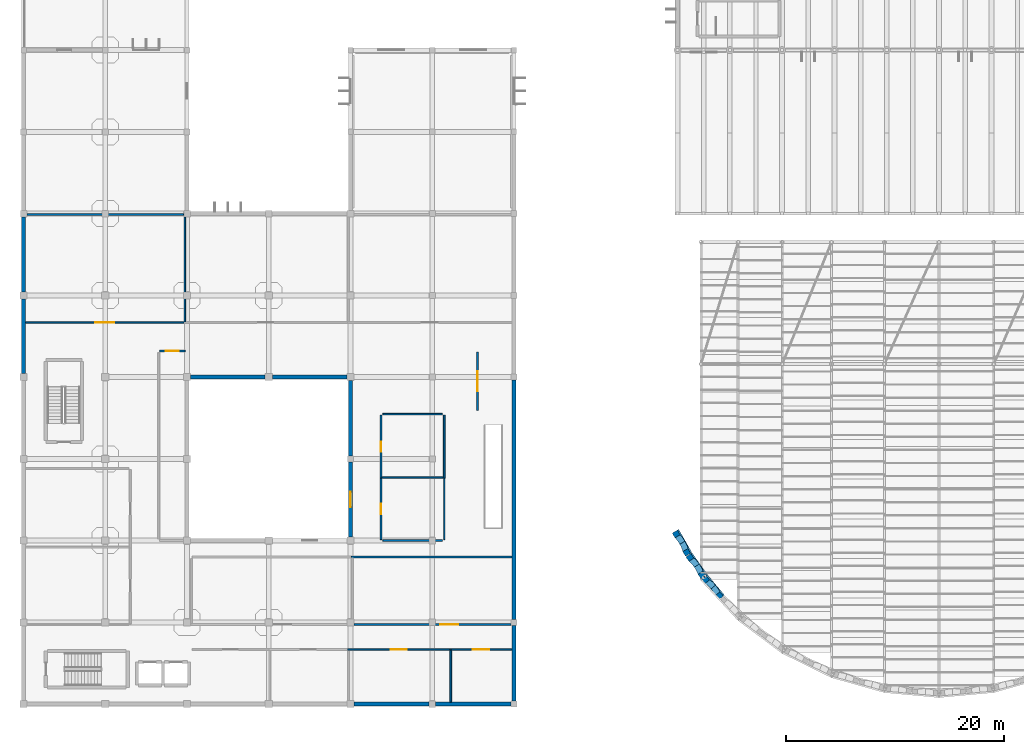
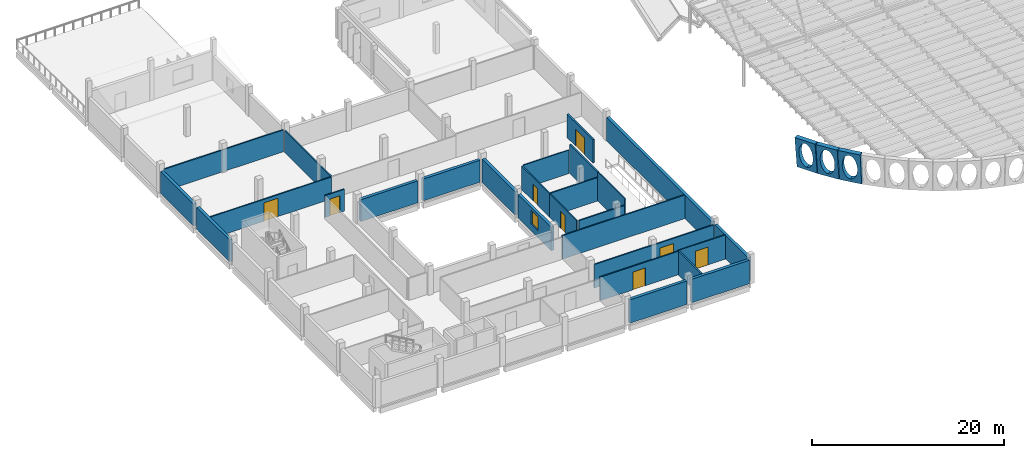
# One storey, part 25 of 47: 30 walls, 8 doors, 1 window, 12 openings.
"""IFC4 building model written with IfcOpenShell, lengths in metres."""

from ifc_helpers import new_model, si_unit, direction, frame, frame_2d, origin, place, context, subcontext, project, spatial, polyline, rectangle, outline, extrude, material, layer, layer_set, type_object, element, fill, save


model = new_model("IFC4")

# Units and contexts
model_context = context("Model", 3, precision=1e-05, world=origin(), true_north=direction((0.0, 1.0)))
body_context = subcontext(model_context, "Body", "Model", "MODEL_VIEW")
ifc_project = project(units=[si_unit("LENGTHUNIT", "METRE"), si_unit("AREAUNIT", "SQUARE_METRE"), si_unit("VOLUMEUNIT", "CUBIC_METRE"), si_unit("PLANEANGLEUNIT", "RADIAN"), si_unit("MASSUNIT", "GRAM", prefix="KILO")], contexts=[model_context])

# Site, building, storey
site_placement = place(None, origin())
site = spatial("IfcSite", under=ifc_project, at=site_placement, CompositionType="ELEMENT")
building_placement = place(site_placement, origin())
building = spatial("IfcBuilding", under=site, at=building_placement, Name="Mawjan Specialist Oncology Clinic", CompositionType="ELEMENT")
storey_placement = place(building_placement, frame((0.0, 0.0, 9.5)))
storey = spatial("IfcBuildingStorey", under=building, at=storey_placement, Name="L02", CompositionType="ELEMENT", Elevation=9.5)

# Walls
ifc_material_1 = material(Name="Precast concrete C40/50", Category="concrete")
ifc_layer_1 = layer(ifc_material_1, 0.35009765625, Name="Precast concrete C40/50", Category="concrete")
ifc_layer_set_1 = layer_set([ifc_layer_1], Name="Precast concrete C40/50")
wall_type_1 = type_object("IfcWallType", Name="EW-350", PredefinedType="SOLIDWALL", material=ifc_layer_set_1)
wall_1_placement = place(storey_placement, frame((45.0, 30.52490234375, 0.0), z_axis=(0.0, 0.0, 1.0), x_axis=(0.0, -1.0, 0.0)))
element("IfcWall", 1, at=wall_1_placement, inside=storey, type_object=wall_type_1, Name="L02 Coral-Limestone Exterior Wall EW-L02-178", PredefinedType="SOLIDWALL", context=body_context, shape_type="SweptSolid", body=[
    extrude(rectangle(XDim=21.949951171875, YDim=0.35009765625, at=frame_2d((10.97509765625, 0.0))), origin(), (0.0, 0.0, 1.0), 2.985107421875),
])
wall_2_placement = place(storey_placement, frame((45.0, 8.02490234375, 0.0), z_axis=(0.0, 0.0, 1.0), x_axis=(0.0, -1.0, 0.0)))
element("IfcWall", 2, at=wall_2_placement, inside=storey, type_object=wall_type_1, Name="L02 Coral-Limestone Exterior Wall EW-L02-179", PredefinedType="SOLIDWALL", context=body_context, shape_type="SweptSolid", body=[
    extrude(rectangle(XDim=6.949951171875, YDim=0.35009765625, at=frame_2d((3.47509765625, 0.0))), origin(), (0.0, 0.0, 1.0), 2.985107421875),
])
wall_3_placement = place(storey_placement, frame((44.72509765625, 0.800048828125, 0.0), z_axis=(0.0, 0.0, 1.0), x_axis=(-1.0, 0.0, 0.0)))
element("IfcWall", 3, at=wall_3_placement, inside=storey, type_object=wall_type_1, Name="L02 Coral-Limestone Exterior Wall EW-L02-180", PredefinedType="SOLIDWALL", context=body_context, shape_type="SweptSolid", body=[
    extrude(rectangle(XDim=6.925048828125, YDim=0.35009765625, at=frame_2d((3.46240234375, 0.0))), origin(), (0.0, 0.0, 1.0), 2.985107421875),
])
wall_4_placement = place(storey_placement, frame((37.199951171875, 0.800048828125, 0.0), z_axis=(0.0, 0.0, 1.0), x_axis=(-1.0, 0.0, 0.0)))
element("IfcWall", 4, at=wall_4_placement, inside=storey, type_object=wall_type_1, Name="L02 Coral-Limestone Exterior Wall EW-L02-181", PredefinedType="SOLIDWALL", context=body_context, shape_type="SweptSolid", body=[
    extrude(rectangle(XDim=6.875, YDim=0.35009765625, at=frame_2d((3.4375, 0.0))), origin(), (0.0, 0.0, 1.0), 2.985107421875),
])
wall_5_placement = place(storey_placement, frame((0.0, 31.125, 0.0), z_axis=(0.0, 0.0, 1.0), x_axis=(0.0, 1.0, 0.0)))
element("IfcWall", 5, at=wall_5_placement, inside=storey, type_object=wall_type_1, Name="L02 Coral-Limestone Exterior Wall EW-L02-190", PredefinedType="SOLIDWALL", context=body_context, shape_type="SweptSolid", body=[
    extrude(rectangle(XDim=6.85009765625, YDim=0.35009765625, at=frame_2d((3.425048828125, 0.0))), origin(), (0.0, 0.0, 1.0), 2.784912109375),
])
wall_6_placement = place(storey_placement, frame((0.0, 38.625, 0.0), z_axis=(0.0, 0.0, 1.0), x_axis=(0.0, 1.0, 0.0)))
element("IfcWall", 6, at=wall_6_placement, inside=storey, type_object=wall_type_1, Name="L02 Coral-Limestone Exterior Wall EW-L02-191", PredefinedType="SOLIDWALL", context=body_context, shape_type="SweptSolid", body=[
    extrude(rectangle(XDim=6.875, YDim=0.35009765625, at=frame_2d((3.4375, 0.0))), origin(), (0.0, 0.0, 1.0), 2.784912109375),
])

# Wall, opening, window
wall_7_placement = place(storey_placement, frame((30.0, 16.125, 0.0), z_axis=(0.0, 0.0, 1.0), x_axis=(0.0, 1.0, 0.0)))
wall_7 = element("IfcWall", 7, at=wall_7_placement, inside=storey, type_object=wall_type_1, Name="L02 Coral-Limestone Exterior Wall EW-L02-200", PredefinedType="SOLIDWALL", context=body_context, shape_type="SweptSolid", body=[
    extrude(rectangle(XDim=6.89990234375, YDim=0.35009765625, at=frame_2d((3.449951171875, 0.0))), origin(), (0.0, 0.0, 1.0), 2.985107421875),
])
opening_1_placement = place(wall_7_placement, frame((2.75, 0.0, 0.89990234375)))
opening_1 = element("IfcOpeningElement", 8, at=opening_1_placement, cuts=wall_7, Name="Opening WN-15", PredefinedType="OPENING", context=body_context, shape_type="SweptSolid", body=[
    extrude(rectangle(XDim=1.39990234375, YDim=1.699951171875, at=frame_2d((0.699951171875, 0.85009765625))), frame((0.0, 0.18701171875, 0.0), z_axis=(0.0, -1.0, 0.0), x_axis=(1.0, 0.0, 0.0)), (0.0, 0.0, 1.0), 0.3740234375),
])
ifc_material_2 = material(Name="Thermally broken low-E clinical aluminium window", Category="aluminium")
window_type = type_object("IfcWindowType", Name="WN-15", PartitioningType="SINGLE_PANEL", PredefinedType="WINDOW", material=ifc_material_2)
window_placement = place(opening_1_placement, origin())
window = element("IfcWindow", 9, at=window_placement, inside=storey, type_object=window_type, Name="L02 Clinical Low-E Window 039", OverallHeight=1.699951171875, OverallWidth=1.39990234375, PartitioningType="SINGLE_PANEL", PredefinedType="WINDOW", context=body_context, shape_type="SweptSolid", body=[
    extrude(rectangle(XDim=1.39990234375, YDim=1.699951171875, at=frame_2d((0.699951171875, 0.85009765625))), frame((0.0, 0.030029296875, 0.0), z_axis=(0.0, -1.0, 0.0), x_axis=(1.0, 0.0, 0.0)), (0.0, 0.0, 1.0), 0.06005859375),
])
fill(opening_1, window)

# Walls
wall_8_placement = place(storey_placement, frame((30.0, 23.574951171875, 0.0), z_axis=(0.0, 0.0, 1.0), x_axis=(0.0, 1.0, 0.0)))
element("IfcWall", 10, at=wall_8_placement, inside=storey, type_object=wall_type_1, Name="L02 Coral-Limestone Exterior Wall EW-L02-201", PredefinedType="SOLIDWALL", context=body_context, shape_type="SweptSolid", body=[
    extrude(rectangle(XDim=6.900146484375, YDim=0.35009765625, at=frame_2d((3.4501953125, 0.0))), origin(), (0.0, 0.0, 1.0), 2.985107421875),
])
for number, where, z_axis, x_axis, name in (
    (11, (29.675048828125, 30.800048828125, 0.0), (0.0, 0.0, 1.0), (-1.0, 0.0, 0.0), "L02 Coral-Limestone Exterior Wall EW-L02-202"),
    (12, (22.175048828125, 30.800048828125, 0.0), (0.0, 0.0, 1.0), (-1.0, 0.0, 0.0), "L02 Coral-Limestone Exterior Wall EW-L02-203"),
):
    element("IfcWall", number, at=place(storey_placement, frame(where, z_axis=z_axis, x_axis=x_axis)), inside=storey, type_object=wall_type_1, Name=name, PredefinedType="SOLIDWALL", context=body_context, shape_type="SweptSolid", body=[
        extrude(rectangle(XDim=6.85009765625, YDim=0.35009765625, at=frame_2d((3.425048828125, 0.0))), origin(), (0.0, 0.0, 1.0), 2.784912109375),
    ])

# Wall, opening
ifc_material_3 = material(Name="Concrete C45/55", Category="concrete")
ifc_layer_2 = layer(ifc_material_3, 0.550048828125, Name="Concrete C45/55", Category="concrete")
ifc_layer_set_2 = layer_set([ifc_layer_2], Name="Concrete C45/55")
wall_type_2 = type_object("IfcWallType", Name="EW-ARC550", PredefinedType="SOLIDWALL", material=ifc_layer_set_2)
wall_9_placement = place(storey_placement, frame((61.088134765625, 14.5615234375, 0.0), z_axis=(0.0, 0.0, 1.0), x_axis=(-0.494314032963, 0.869283404199, 0.0)))
wall_9 = element("IfcWall", 13, at=wall_9_placement, inside=storey, type_object=wall_type_2, Name="Curved Stone-Arc Wall L02 Chord 01", PredefinedType="SOLIDWALL", context=body_context, shape_type="SweptSolid", body=[
    extrude(outline(polyline([(-0.27490234375, 0.0), (0.27490234375, 0.0), (0.73095703125, 4.0), (0.1806640625, 4.0), (-0.27490234375, 0.0)])), frame((0.0, 0.0, 0.0), z_axis=(1.0, 0.0, 0.0), x_axis=(0.0, 1.0, 0.0)), (0.0, 0.0, 1.0), 2.45068359375),
])
opening_2_placement = place(wall_9_placement, origin())
element("IfcOpeningElement", 14, at=opening_2_placement, cuts=wall_9, Name="Elliptical sky opening 1", PredefinedType="OPENING", context=body_context, shape_type="SweptSolid", body=[
    extrude(outline(polyline([(2.065185546875, 2.0), (2.049072265625, 2.315185546875), (2.00146484375, 2.618408203125), (1.923828125, 2.897705078125), (1.8193359375, 3.142578125), (1.69189453125, 3.343505859375), (1.546875, 3.492919921875), (1.38916015625, 3.5849609375), (1.225341796875, 3.615966796875), (1.0615234375, 3.5849609375), (0.90380859375, 3.492919921875), (0.758544921875, 3.343505859375), (0.63134765625, 3.142578125), (0.52685546875, 2.897705078125), (0.44921875, 2.618408203125), (0.4013671875, 2.315185546875), (0.38525390625, 2.0), (0.4013671875, 1.684814453125), (0.44921875, 1.381591796875), (0.52685546875, 1.102294921875), (0.63134765625, 0.857421875), (0.758544921875, 0.656494140625), (0.90380859375, 0.507080078125), (1.0615234375, 0.4150390625), (1.225341796875, 0.384033203125), (1.38916015625, 0.4150390625), (1.546875, 0.507080078125), (1.69189453125, 0.656494140625), (1.8193359375, 0.857421875), (1.923828125, 1.102294921875), (2.00146484375, 1.381591796875), (2.049072265625, 1.684814453125), (2.065185546875, 2.0)])), frame((0.0, 0.750732421875, 0.0), z_axis=(0.0, -1.0, 0.0), x_axis=(1.0, 0.0, 0.0)), (0.0, 0.0, 1.0), 1.0458984375),
])

wall_10_placement = place(storey_placement, frame((62.505615234375, 12.525634765625, 0.0), z_axis=(0.0, 0.0, 1.0), x_axis=(-0.571823138595, 0.820376924448, 0.0)))
wall_10 = element("IfcWall", 15, at=wall_10_placement, inside=storey, type_object=wall_type_2, Name="Curved Stone-Arc Wall L02 Chord 02", PredefinedType="SOLIDWALL", context=body_context, shape_type="SweptSolid", body=[
    extrude(outline(polyline([(-0.27490234375, 0.0), (0.27490234375, 0.0), (0.73095703125, 4.0), (0.1806640625, 4.0), (-0.27490234375, 0.0)])), frame((0.0, 0.0, 0.0), z_axis=(1.0, 0.0, 0.0), x_axis=(0.0, 1.0, 0.0)), (0.0, 0.0, 1.0), 2.45068359375),
])
opening_3_placement = place(wall_10_placement, origin())
element("IfcOpeningElement", 16, at=opening_3_placement, cuts=wall_10, Name="Elliptical sky opening 1", PredefinedType="OPENING", context=body_context, shape_type="SweptSolid", body=[
    extrude(outline(polyline([(2.065185546875, 2.0), (2.049072265625, 2.315185546875), (2.00146484375, 2.618408203125), (1.923828125, 2.897705078125), (1.8193359375, 3.142578125), (1.69189453125, 3.343505859375), (1.546875, 3.492919921875), (1.38916015625, 3.5849609375), (1.225341796875, 3.615966796875), (1.0615234375, 3.5849609375), (0.90380859375, 3.492919921875), (0.758544921875, 3.343505859375), (0.63134765625, 3.142578125), (0.52685546875, 2.897705078125), (0.44921875, 2.618408203125), (0.4013671875, 2.315185546875), (0.38525390625, 2.0), (0.4013671875, 1.684814453125), (0.44921875, 1.381591796875), (0.52685546875, 1.102294921875), (0.63134765625, 0.857421875), (0.758544921875, 0.656494140625), (0.90380859375, 0.507080078125), (1.0615234375, 0.4150390625), (1.225341796875, 0.384033203125), (1.38916015625, 0.4150390625), (1.546875, 0.507080078125), (1.69189453125, 0.656494140625), (1.8193359375, 0.857421875), (1.923828125, 1.102294921875), (2.00146484375, 1.381591796875), (2.049072265625, 1.684814453125), (2.065185546875, 2.0)])), frame((0.0, 0.750732421875, 0.0), z_axis=(0.0, -1.0, 0.0), x_axis=(1.0, 0.0, 0.0)), (0.0, 0.0, 1.0), 1.0458984375),
])

wall_11_placement = place(storey_placement, frame((64.10302734375, 10.6279296875, 0.0), z_axis=(0.0, 0.0, 1.0), x_axis=(-0.644476216482, 0.764624356392, 0.0)))
wall_11 = element("IfcWall", 17, at=wall_11_placement, inside=storey, type_object=wall_type_2, Name="Curved Stone-Arc Wall L02 Chord 03", PredefinedType="SOLIDWALL", context=body_context, shape_type="SweptSolid", body=[
    extrude(outline(polyline([(-0.27490234375, 0.0), (0.27490234375, 0.0), (0.73095703125, 4.0), (0.1806640625, 4.0), (-0.27490234375, 0.0)])), frame((0.0, 0.0, 0.0), z_axis=(1.0, 0.0, 0.0), x_axis=(0.0, 1.0, 0.0)), (0.0, 0.0, 1.0), 2.45068359375),
])
opening_4_placement = place(wall_11_placement, origin())
element("IfcOpeningElement", 18, at=opening_4_placement, cuts=wall_11, Name="Elliptical sky opening 1", PredefinedType="OPENING", context=body_context, shape_type="SweptSolid", body=[
    extrude(outline(polyline([(2.065185546875, 2.0), (2.049072265625, 2.315185546875), (2.00146484375, 2.618408203125), (1.923828125, 2.897705078125), (1.8193359375, 3.142578125), (1.69189453125, 3.343505859375), (1.546875, 3.492919921875), (1.38916015625, 3.5849609375), (1.225341796875, 3.615966796875), (1.0615234375, 3.5849609375), (0.90380859375, 3.492919921875), (0.758544921875, 3.343505859375), (0.63134765625, 3.142578125), (0.52685546875, 2.897705078125), (0.44921875, 2.618408203125), (0.4013671875, 2.315185546875), (0.38525390625, 2.0), (0.4013671875, 1.684814453125), (0.44921875, 1.381591796875), (0.52685546875, 1.102294921875), (0.63134765625, 0.857421875), (0.758544921875, 0.656494140625), (0.90380859375, 0.507080078125), (1.0615234375, 0.4150390625), (1.225341796875, 0.384033203125), (1.38916015625, 0.4150390625), (1.546875, 0.507080078125), (1.69189453125, 0.656494140625), (1.8193359375, 0.857421875), (1.923828125, 1.102294921875), (2.00146484375, 1.381591796875), (2.049072265625, 1.684814453125), (2.065185546875, 2.0)])), frame((0.0, 0.750732421875, 0.0), z_axis=(0.0, -1.0, 0.0), x_axis=(1.0, 0.0, 0.0)), (0.0, 0.0, 1.0), 1.0458984375),
])

# Wall, opening, door
ifc_material_4 = material(Name="Moisture-resistant washroom partition", Category="gypsum")
ifc_layer_3 = layer(ifc_material_4, 0.125, Name="Moisture-resistant washroom partition", Category="gypsum")
ifc_layer_set_3 = layer_set([ifc_layer_3], Name="Moisture-resistant washroom partition")
wall_type_3 = type_object("IfcWallType", Name="WP-125", PredefinedType="PARTITIONING", material=ifc_layer_set_3)
wall_12_placement = place(storey_placement, frame((39.126953125, 5.800048828125, 0.0), z_axis=(0.0, 0.0, 1.0), x_axis=(1.0, 0.0, 0.0)))
wall_12 = element("IfcWall", 19, at=wall_12_placement, inside=storey, type_object=wall_type_3, Name="L02 Interior Partition W-INT-L02-204-C", PredefinedType="PARTITIONING", context=body_context, shape_type="SweptSolid", body=[
    extrude(rectangle(XDim=5.68603515625, YDim=0.125, at=frame_2d((2.843017578125, 0.0))), origin(), (0.0, 0.0, 1.0), 3.0849609375),
])
opening_5_placement = place(wall_12_placement, frame((2.093017578125, 0.0, 0.0)))
opening_5 = element("IfcOpeningElement", 20, at=opening_5_placement, cuts=wall_12, Name="Opening DC-150", PredefinedType="OPENING", context=body_context, shape_type="SweptSolid", body=[
    extrude(rectangle(XDim=1.5, YDim=2.280029296875, at=frame_2d((0.75, 1.14013671875))), frame((0.0, 0.074462890625, 0.0), z_axis=(0.0, -1.0, 0.0), x_axis=(1.0, 0.0, 0.0)), (0.0, 0.0, 1.0), 0.14892578125),
])
ifc_material_5 = material(Name="Acoustic laminate hospital door leaf", Category="wood")
door_type_1 = type_object("IfcDoorType", Name="DC-150", OperationType="NOTDEFINED", PredefinedType="DOOR", material=ifc_material_5)
door_1_placement = place(opening_5_placement, origin())
door_1 = element("IfcDoor", 21, at=door_1_placement, inside=storey, type_object=door_type_1, Name="L02 Accessible Patient Washroom Door", OperationType="SINGLE_SWING_RIGHT", OverallHeight=2.280029296875, OverallWidth=1.5, PredefinedType="DOOR", context=body_context, shape_type="SweptSolid", body=[
    extrude(rectangle(XDim=1.5, YDim=2.280029296875, at=frame_2d((0.75, 1.14013671875))), frame((0.0, 0.02490234375, 0.0), z_axis=(0.0, -1.0, 0.0), x_axis=(1.0, 0.0, 0.0)), (0.0, 0.0, 1.0), 0.050048828125),
])
fill(opening_5, door_1)

# Walls
wall_13_placement = place(storey_placement, frame((38.60009765625, 15.885009765625, 0.0), z_axis=(0.0, 0.0, 1.0), x_axis=(0.0, 1.0, 0.0)))
element("IfcWall", 22, at=wall_13_placement, inside=storey, type_object=wall_type_3, Name="L02 Interior Partition W-INT-L02-208-VR", PredefinedType="PARTITIONING", context=body_context, shape_type="SweptSolid", body=[
    extrude(rectangle(XDim=5.6298828125, YDim=0.125, at=frame_2d((2.81494140625, 0.0))), origin(), (0.0, 0.0, 1.0), 3.699951171875),
])
wall_14_placement = place(storey_placement, frame((32.965087890625, 27.39990234375, 0.0), z_axis=(0.0, 0.0, 1.0), x_axis=(1.0, 0.0, 0.0)))
element("IfcWall", 23, at=wall_14_placement, inside=storey, type_object=wall_type_3, Name="L02 Interior Partition W-INT-L02-209-H", PredefinedType="PARTITIONING", context=body_context, shape_type="SweptSolid", body=[
    extrude(rectangle(XDim=5.469970703125, YDim=0.125, at=frame_2d((2.73486328125, 0.0))), origin(), (0.0, 0.0, 1.0), 2.985107421875),
])

# Wall, opening, door
ifc_material_6 = material(Name="Acoustic gypsum clinical partition", Category="gypsum")
ifc_layer_4 = layer(ifc_material_6, 0.14990234375, Name="Acoustic gypsum clinical partition", Category="gypsum")
ifc_layer_set_4 = layer_set([ifc_layer_4], Name="Acoustic gypsum clinical partition")
wall_type_4 = type_object("IfcWallType", Name="WP-150", PredefinedType="PARTITIONING", material=ifc_layer_set_4)
wall_15_placement = place(storey_placement, frame((29.72705078125, 5.800048828125, 0.0), z_axis=(0.0, 0.0, 1.0), x_axis=(1.0, 0.0, 0.0)))
wall_15 = element("IfcWall", 24, at=wall_15_placement, inside=storey, type_object=wall_type_4, Name="L02 Interior Partition W-INT-L02-203-C", PredefinedType="PARTITIONING", context=body_context, shape_type="SweptSolid", body=[
    extrude(rectangle(XDim=9.387939453125, YDim=0.14990234375, at=frame_2d((4.69384765625, 0.0))), origin(), (0.0, 0.0, 1.0), 2.985107421875),
])
opening_6_placement = place(wall_15_placement, frame((3.968994140625, 0.0, 0.0)))
opening_6 = element("IfcOpeningElement", 25, at=opening_6_placement, cuts=wall_15, Name="Opening DC-145", PredefinedType="OPENING", context=body_context, shape_type="SweptSolid", body=[
    extrude(rectangle(XDim=1.449951171875, YDim=2.260009765625, at=frame_2d((0.72509765625, 1.1298828125))), frame((0.0, 0.0869140625, 0.0), z_axis=(0.0, -1.0, 0.0), x_axis=(1.0, 0.0, 0.0)), (0.0, 0.0, 1.0), 0.173828125),
])
ifc_material_7 = material(Name="Acoustic laminate hospital door leaf", Category="wood")
door_type_2 = type_object("IfcDoorType", Name="DC-145", OperationType="NOTDEFINED", PredefinedType="DOOR", material=ifc_material_7)
door_2_placement = place(opening_6_placement, origin())
door_2 = element("IfcDoor", 26, at=door_2_placement, inside=storey, type_object=door_type_2, Name="L02 Occupational Therapy Clinic Door", OperationType="SINGLE_SWING_LEFT", OverallHeight=2.260009765625, OverallWidth=1.449951171875, PredefinedType="DOOR", context=body_context, shape_type="SweptSolid", body=[
    extrude(rectangle(XDim=1.449951171875, YDim=2.260009765625, at=frame_2d((0.72509765625, 1.1298828125))), frame((0.0, 0.02490234375, 0.0), z_axis=(0.0, -1.0, 0.0), x_axis=(1.0, 0.0, 0.0)), (0.0, 0.0, 1.0), 0.050048828125),
])
fill(opening_6, door_2)

wall_16_placement = place(storey_placement, frame((0.18701171875, 35.800048828125, 0.0), z_axis=(0.0, 0.0, 1.0), x_axis=(1.0, 0.0, 0.0)))
wall_16 = element("IfcWall", 27, at=wall_16_placement, inside=storey, type_object=wall_type_4, Name="L02 Interior Partition W-INT-L02-205-C", PredefinedType="PARTITIONING", context=body_context, shape_type="SweptSolid", body=[
    extrude(rectangle(XDim=14.528076171875, YDim=0.14990234375, at=frame_2d((7.26416015625, 0.0))), origin(), (0.0, 0.0, 1.0), 2.784912109375),
])
opening_7_placement = place(wall_16_placement, frame((6.404052734375, 0.0, 0.0)))
opening_7 = element("IfcOpeningElement", 28, at=opening_7_placement, cuts=wall_16, Name="Opening DC-172", PredefinedType="OPENING", context=body_context, shape_type="SweptSolid", body=[
    extrude(rectangle(XDim=1.719970703125, YDim=2.340087890625, at=frame_2d((0.85986328125, 1.169921875))), frame((0.0, 0.0869140625, 0.0), z_axis=(0.0, -1.0, 0.0), x_axis=(1.0, 0.0, 0.0)), (0.0, 0.0, 1.0), 0.173828125),
])
ifc_material_8 = material(Name="Acoustic laminate hospital door leaf", Category="wood")
door_type_3 = type_object("IfcDoorType", Name="DC-172", OperationType="NOTDEFINED", PredefinedType="DOOR", material=ifc_material_8)
door_3_placement = place(opening_7_placement, origin())
door_3 = element("IfcDoor", 29, at=door_3_placement, inside=storey, type_object=door_type_3, Name="L02 Multidisciplinary Oncology Clinic Door", OperationType="SINGLE_SWING_LEFT", OverallHeight=2.340087890625, OverallWidth=1.719970703125, PredefinedType="DOOR", context=body_context, shape_type="SweptSolid", body=[
    extrude(rectangle(XDim=1.719970703125, YDim=2.340087890625, at=frame_2d((0.85986328125, 1.169921875))), frame((0.0, 0.02490234375, 0.0), z_axis=(0.0, -1.0, 0.0), x_axis=(1.0, 0.0, 0.0)), (0.0, 0.0, 1.0), 0.050048828125),
])
fill(opening_7, door_3)

wall_17_placement = place(storey_placement, frame((12.485107421875, 33.199951171875, 0.0), z_axis=(0.0, 0.0, 1.0), x_axis=(1.0, 0.0, 0.0)))
wall_17 = element("IfcWall", 30, at=wall_17_placement, inside=storey, type_object=wall_type_4, Name="L02 Interior Partition W-INT-L02-0241-C", PredefinedType="PARTITIONING", context=body_context, shape_type="SweptSolid", body=[
    extrude(rectangle(XDim=2.329833984375, YDim=0.14990234375, at=frame_2d((1.1650390625, 0.0))), origin(), (0.0, 0.0, 1.0), 2.784912109375),
])
opening_8_placement = place(wall_17_placement, frame((0.56494140625, 0.0, 0.0)))
opening_8 = element("IfcOpeningElement", 31, at=opening_8_placement, cuts=wall_17, Name="Opening DC-120", PredefinedType="OPENING", context=body_context, shape_type="SweptSolid", body=[
    extrude(rectangle(XDim=1.199951171875, YDim=2.14990234375, at=frame_2d((0.60009765625, 1.074951171875))), frame((0.0, 0.0869140625, 0.0), z_axis=(0.0, -1.0, 0.0), x_axis=(1.0, 0.0, 0.0)), (0.0, 0.0, 1.0), 0.173828125),
])
ifc_material_9 = material(Name="Acoustic laminate hospital door leaf", Category="wood")
door_type_4 = type_object("IfcDoorType", Name="DC-120", OperationType="NOTDEFINED", PredefinedType="DOOR", material=ifc_material_9)
door_4_placement = place(opening_8_placement, origin())
door_4 = element("IfcDoor", 32, at=door_4_placement, inside=storey, type_object=door_type_4, Name="L02 Clinical Case Conference Room Door", OperationType="SINGLE_SWING_LEFT", OverallHeight=2.14990234375, OverallWidth=1.199951171875, PredefinedType="DOOR", context=body_context, shape_type="SweptSolid", body=[
    extrude(rectangle(XDim=1.199951171875, YDim=2.14990234375, at=frame_2d((0.60009765625, 1.074951171875))), frame((0.0, 0.02490234375, 0.0), z_axis=(0.0, -1.0, 0.0), x_axis=(1.0, 0.0, 0.0)), (0.0, 0.0, 1.0), 0.050048828125),
])
fill(opening_8, door_4)

wall_18_placement = place(storey_placement, frame((32.800048828125, 15.885009765625, 0.0), z_axis=(0.0, 0.0, 1.0), x_axis=(0.0, 1.0, 0.0)))
wall_18 = element("IfcWall", 33, at=wall_18_placement, inside=storey, type_object=wall_type_4, Name="L02 Interior Partition W-INT-L02-208-V", PredefinedType="PARTITIONING", context=body_context, shape_type="SweptSolid", body=[
    extrude(rectangle(XDim=5.6298828125, YDim=0.14990234375, at=frame_2d((2.81494140625, 0.0))), origin(), (0.0, 0.0, 1.0), 2.985107421875),
])
opening_9_placement = place(wall_18_placement, frame((2.340087890625, 0.0, 0.0)))
opening_9 = element("IfcOpeningElement", 34, at=opening_9_placement, cuts=wall_18, Name="Opening DA-95", PredefinedType="OPENING", context=body_context, shape_type="SweptSolid", body=[
    extrude(rectangle(XDim=0.949951171875, YDim=2.14990234375, at=frame_2d((0.47509765625, 1.074951171875))), frame((0.0, 0.0869140625, 0.0), z_axis=(0.0, -1.0, 0.0), x_axis=(1.0, 0.0, 0.0)), (0.0, 0.0, 1.0), 0.173828125),
])
ifc_material_10 = material(Name="Acoustic laminate hospital door leaf", Category="wood")
door_type_5 = type_object("IfcDoorType", Name="DA-95", OperationType="NOTDEFINED", PredefinedType="DOOR", material=ifc_material_10)
door_5_placement = place(opening_9_placement, origin())
door_5 = element("IfcDoor", 35, at=door_5_placement, inside=storey, type_object=door_type_5, Name="L02 Speech and Swallowing Clinic Door", OperationType="SINGLE_SWING_LEFT", OverallHeight=2.14990234375, OverallWidth=0.949951171875, PredefinedType="DOOR", context=body_context, shape_type="SweptSolid", body=[
    extrude(rectangle(XDim=0.949951171875, YDim=2.14990234375, at=frame_2d((0.47509765625, 1.074951171875))), frame((0.0, 0.02490234375, 0.0), z_axis=(0.0, -1.0, 0.0), x_axis=(1.0, 0.0, 0.0)), (0.0, 0.0, 1.0), 0.050048828125),
])
fill(opening_9, door_5)

wall_19_placement = place(storey_placement, frame((32.800048828125, 21.527099609375, 0.0), z_axis=(0.0, 0.0, 1.0), x_axis=(0.0, 1.0, 0.0)))
wall_19 = element("IfcWall", 36, at=wall_19_placement, inside=storey, type_object=wall_type_4, Name="L02 Interior Partition W-INT-L02-209-V", PredefinedType="PARTITIONING", context=body_context, shape_type="SweptSolid", body=[
    extrude(rectangle(XDim=5.787841796875, YDim=0.14990234375, at=frame_2d((2.89404296875, 0.0))), origin(), (0.0, 0.0, 1.0), 2.985107421875),
])
opening_10_placement = place(wall_19_placement, frame((2.43408203125, 0.0, 0.0)))
opening_10 = element("IfcOpeningElement", 37, at=opening_10_placement, cuts=wall_19, Name="Opening DI-92", PredefinedType="OPENING", context=body_context, shape_type="SweptSolid", body=[
    extrude(rectangle(XDim=0.919921875, YDim=2.10009765625, at=frame_2d((0.4599609375, 1.050048828125))), frame((0.0, 0.0869140625, 0.0), z_axis=(0.0, -1.0, 0.0), x_axis=(1.0, 0.0, 0.0)), (0.0, 0.0, 1.0), 0.173828125),
])
ifc_material_11 = material(Name="Acoustic laminate hospital door leaf", Category="wood")
door_type_6 = type_object("IfcDoorType", Name="DI-92", OperationType="NOTDEFINED", PredefinedType="DOOR", material=ifc_material_11)
door_6_placement = place(opening_10_placement, origin())
door_6 = element("IfcDoor", 38, at=door_6_placement, inside=storey, type_object=door_type_6, Name="L02 Prosthetics Fitting Room Door", OperationType="SINGLE_SWING_RIGHT", OverallHeight=2.10009765625, OverallWidth=0.919921875, PredefinedType="DOOR", context=body_context, shape_type="SweptSolid", body=[
    extrude(rectangle(XDim=0.919921875, YDim=2.10009765625, at=frame_2d((0.4599609375, 1.050048828125))), frame((0.0, 0.02490234375, 0.0), z_axis=(0.0, -1.0, 0.0), x_axis=(1.0, 0.0, 0.0)), (0.0, 0.0, 1.0), 0.050048828125),
])
fill(opening_10, door_6)

# Walls
wall_20_placement = place(storey_placement, frame((30.0869140625, 14.300048828125, 0.0), z_axis=(0.0, 0.0, 1.0), x_axis=(1.0, 0.0, 0.0)))
element("IfcWall", 39, at=wall_20_placement, inside=storey, type_object=wall_type_4, Name="L02 Interior Partition W-INT-L02-0222-R", PredefinedType="PARTITIONING", context=body_context, shape_type="SweptSolid", body=[
    extrude(rectangle(XDim=14.72607421875, YDim=0.14990234375, at=frame_2d((7.363037109375, 0.0))), origin(), (0.0, 0.0, 1.0), 2.985107421875),
])
wall_21_placement = place(storey_placement, frame((14.800048828125, 35.87451171875, 0.0), z_axis=(0.0, 0.0, 1.0), x_axis=(0.0, 1.0, 0.0)))
element("IfcWall", 40, at=wall_21_placement, inside=storey, type_object=wall_type_4, Name="L02 Interior Partition W-INT-L02-205-D", PredefinedType="PARTITIONING", context=body_context, shape_type="SweptSolid", body=[
    extrude(rectangle(XDim=9.613525390625, YDim=0.14990234375, at=frame_2d((4.806640625, 0.0))), origin(), (0.0, 0.0, 1.0), 2.784912109375),
])
wall_22_placement = place(storey_placement, frame((32.886962890625, 21.60009765625, 0.0), z_axis=(0.0, 0.0, 1.0), x_axis=(1.0, 0.0, 0.0)))
element("IfcWall", 41, at=wall_22_placement, inside=storey, type_object=wall_type_4, Name="L02 Interior Partition W-INT-L02-208-H", PredefinedType="PARTITIONING", context=body_context, shape_type="SweptSolid", body=[
    extrude(rectangle(XDim=5.62109375, YDim=0.14990234375, at=frame_2d((2.810546875, 0.0))), origin(), (0.0, 0.0, 1.0), 2.985107421875),
])

# Wall, opening, door
ifc_material_12 = material(Name="Acoustic clinical twin-stud partition", Category="gypsum")
ifc_layer_5 = layer(ifc_material_12, 0.159912109375, Name="Acoustic clinical twin-stud partition", Category="gypsum")
ifc_layer_set_5 = layer_set([ifc_layer_5], Name="Acoustic clinical twin-stud partition")
wall_type_5 = type_object("IfcWallType", Name="WP-160", PredefinedType="PARTITIONING", material=ifc_layer_set_5)
wall_23_placement = place(storey_placement, frame((30.3369140625, 8.10009765625, 0.0), z_axis=(0.0, 0.0, 1.0), x_axis=(1.0, 0.0, 0.0)))
wall_23 = element("IfcWall", 42, at=wall_23_placement, inside=storey, type_object=wall_type_5, Name="L02 Interior Partition W-INT-L02-0222-C", PredefinedType="PARTITIONING", context=body_context, shape_type="SweptSolid", body=[
    extrude(rectangle(XDim=14.3759765625, YDim=0.159912109375, at=frame_2d((7.18798828125, 0.0))), origin(), (0.0, 0.0, 1.0), 2.985107421875),
])
opening_11_placement = place(wall_23_placement, frame((7.89013671875, 0.0, 0.0)))
opening_11 = element("IfcOpeningElement", 43, at=opening_11_placement, cuts=wall_23, Name="Opening DC-165", PredefinedType="OPENING", context=body_context, shape_type="SweptSolid", body=[
    extrude(rectangle(XDim=1.64990234375, YDim=2.320068359375, at=frame_2d((0.824951171875, 1.16015625))), frame((0.0, 0.092041015625, 0.0), z_axis=(0.0, -1.0, 0.0), x_axis=(1.0, 0.0, 0.0)), (0.0, 0.0, 1.0), 0.183837890625),
])
ifc_material_13 = material(Name="Acoustic laminate hospital door leaf", Category="wood")
door_type_7 = type_object("IfcDoorType", Name="DC-165", OperationType="NOTDEFINED", PredefinedType="DOOR", material=ifc_material_13)
door_7_placement = place(opening_11_placement, origin())
door_7 = element("IfcDoor", 44, at=door_7_placement, inside=storey, type_object=door_type_7, Name="L02 Oncology Nurse Counseling Room Door", OperationType="SINGLE_SWING_RIGHT", OverallHeight=2.320068359375, OverallWidth=1.64990234375, PredefinedType="DOOR", context=body_context, shape_type="SweptSolid", body=[
    extrude(rectangle(XDim=1.64990234375, YDim=2.320068359375, at=frame_2d((0.824951171875, 1.16015625))), frame((0.0, 0.02490234375, 0.0), z_axis=(0.0, -1.0, 0.0), x_axis=(1.0, 0.0, 0.0)), (0.0, 0.0, 1.0), 0.050048828125),
])
fill(opening_11, door_7)

# Walls
wall_24_placement = place(storey_placement, frame((0.31201171875, 45.719970703125, 0.0), z_axis=(0.0, 0.0, 1.0), x_axis=(1.0, 0.0, 0.0)))
element("IfcWall", 45, at=wall_24_placement, inside=storey, type_object=wall_type_5, Name="L02 Interior Partition W-INT-L02-205-R", PredefinedType="PARTITIONING", context=body_context, shape_type="SweptSolid", body=[
    extrude(rectangle(XDim=14.3759765625, YDim=0.159912109375, at=frame_2d((7.18798828125, 0.0))), origin(), (0.0, 0.0, 1.0), 2.784912109375),
])
wall_25_placement = place(storey_placement, frame((38.60009765625, 21.527099609375, 0.0), z_axis=(0.0, 0.0, 1.0), x_axis=(0.0, 1.0, 0.0)))
element("IfcWall", 46, at=wall_25_placement, inside=storey, type_object=wall_type_5, Name="L02 Interior Partition W-INT-L02-209-VR", PredefinedType="PARTITIONING", context=body_context, shape_type="SweptSolid", body=[
    extrude(rectangle(XDim=5.787841796875, YDim=0.159912109375, at=frame_2d((2.89404296875, 0.0))), origin(), (0.0, 0.0, 1.0), 3.699951171875),
])
wall_26_placement = place(storey_placement, frame((39.199951171875, 0.987060546875, 0.0), z_axis=(0.0, 0.0, 1.0), x_axis=(0.0, 1.0, 0.0)))
element("IfcWall", 47, at=wall_26_placement, inside=storey, type_object=wall_type_5, Name="L02 Interior Partition W-INT-L02-203-D", PredefinedType="PARTITIONING", context=body_context, shape_type="SweptSolid", body=[
    extrude(rectangle(XDim=4.738525390625, YDim=0.159912109375, at=frame_2d((2.369140625, 0.0))), origin(), (0.0, 0.0, 1.0), 3.034912109375),
])
wall_27_placement = place(storey_placement, frame((32.965087890625, 15.800048828125, 0.0), z_axis=(0.0, 0.0, 1.0), x_axis=(1.0, 0.0, 0.0)))
element("IfcWall", 48, at=wall_27_placement, inside=storey, type_object=wall_type_5, Name="L02 Interior Partition W-INT-L02-208-H0", PredefinedType="PARTITIONING", context=body_context, shape_type="SweptSolid", body=[
    extrude(rectangle(XDim=5.469970703125, YDim=0.159912109375, at=frame_2d((2.73486328125, 0.0))), origin(), (0.0, 0.0, 1.0), 2.985107421875),
])

# Wall, opening, door
ifc_material_14 = material(Name="Insulated fire-rated gypsum stud partition", Category="gypsum")
ifc_layer_6 = layer(ifc_material_14, 0.199951171875, Name="Insulated fire-rated gypsum stud partition", Category="gypsum")
ifc_layer_set_6 = layer_set([ifc_layer_6], Name="Insulated fire-rated gypsum stud partition")
wall_type_6 = type_object("IfcWallType", Name="WS-60", PredefinedType="PARTITIONING", material=ifc_layer_set_6)
wall_28_placement = place(storey_placement, frame((41.64990234375, 27.735107421875, 0.0), z_axis=(0.0, 0.0, 1.0), x_axis=(0.0, 1.0, 0.0)))
wall_28 = element("IfcWall", 49, at=wall_28_placement, inside=storey, type_object=wall_type_6, Name="L02 Interior Partition W-SMK-L02-V4ST", PredefinedType="PARTITIONING", context=body_context, shape_type="SweptSolid", body=[
    extrude(rectangle(XDim=5.3798828125, YDim=0.199951171875, at=frame_2d((2.68994140625, 0.0))), origin(), (0.0, 0.0, 1.0), 2.985107421875),
])
opening_12_placement = place(wall_28_placement, frame((1.7900390625, 0.0, 0.0)))
opening_12 = element("IfcOpeningElement", 50, at=opening_12_placement, cuts=wall_28, Name="Opening DS-180", PredefinedType="OPENING", context=body_context, shape_type="SweptSolid", body=[
    extrude(rectangle(XDim=1.800048828125, YDim=2.14990234375, at=frame_2d((0.89990234375, 1.074951171875))), frame((0.0, 0.112060546875, 0.0), z_axis=(0.0, -1.0, 0.0), x_axis=(1.0, 0.0, 0.0)), (0.0, 0.0, 1.0), 0.223876953125),
])
ifc_material_15 = material(Name="Stainless-steel fire-rated hospital door", Category="steel")
door_type_8 = type_object("IfcDoorType", Name="DS-180", OperationType="DOUBLE_DOOR_SINGLE_SWING", PredefinedType="DOOR", material=ifc_material_15)
door_8_placement = place(opening_12_placement, origin())
door_8 = element("IfcDoor", 51, at=door_8_placement, inside=storey, type_object=door_type_8, Name="L02 Communicating Stair Lobby Smoke Door", OperationType="DOUBLE_DOOR_SINGLE_SWING", OverallHeight=2.14990234375, OverallWidth=1.800048828125, PredefinedType="DOOR", context=body_context, shape_type="SweptSolid", body=[
    extrude(rectangle(XDim=1.800048828125, YDim=2.14990234375, at=frame_2d((0.89990234375, 1.074951171875))), frame((0.0, 0.02490234375, 0.0), z_axis=(0.0, -1.0, 0.0), x_axis=(1.0, 0.0, 0.0)), (0.0, 0.0, 1.0), 0.050048828125),
])
fill(opening_12, door_8)

save(model, "model.ifc")
